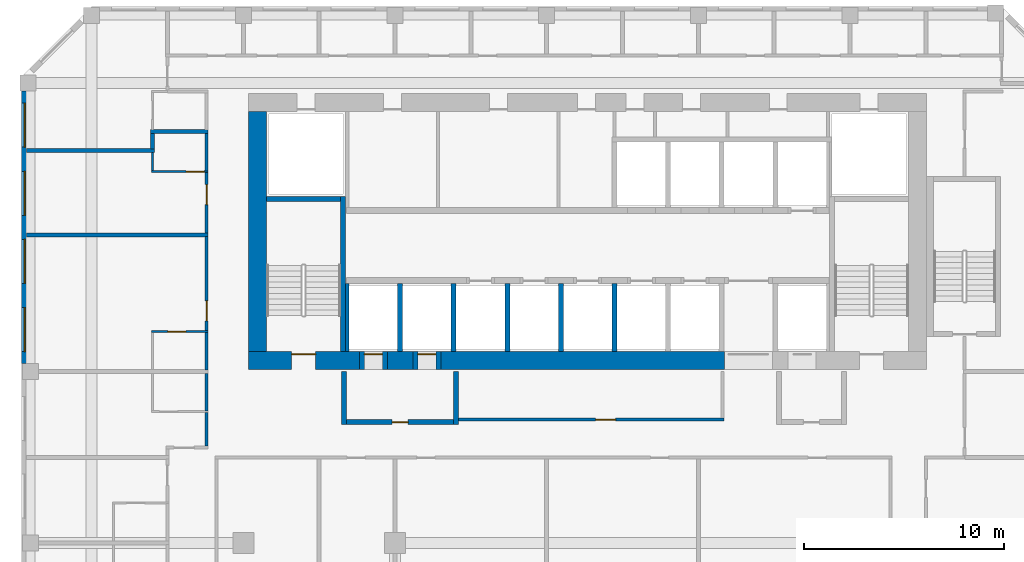
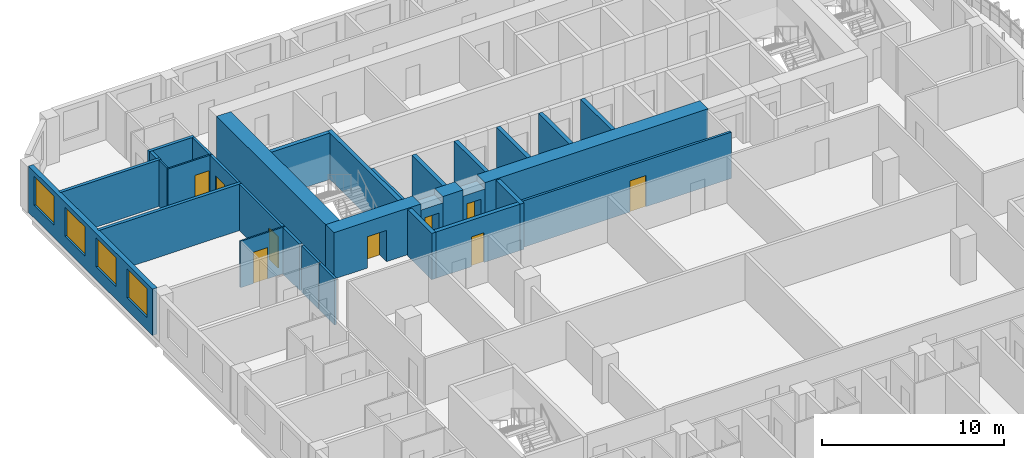
# One storey, part 7 of 22: 32 walls, 9 doors, 4 windows, 13 openings.
"""IFC4 building model written with IfcOpenShell, lengths in metres."""

from ifc_helpers import new_model, si_unit, direction, frame, frame_2d, origin, place, context, subcontext, project, spatial, rectangle, extrude, source, transform, mapped, material, layer, layer_set, type_object, element, fill, save


model = new_model("IFC4")

# Units and contexts
model_context = context("Model", 3, precision=1e-05, world=origin(), true_north=direction((0.0, 1.0)))
body_context = subcontext(model_context, "Body", "Model", "MODEL_VIEW")
ifc_project = project(units=[si_unit("LENGTHUNIT", "METRE"), si_unit("AREAUNIT", "SQUARE_METRE"), si_unit("VOLUMEUNIT", "CUBIC_METRE"), si_unit("PLANEANGLEUNIT", "RADIAN"), si_unit("MASSUNIT", "GRAM", prefix="KILO")], contexts=[model_context])

# Site, building, storey
site_placement = place(None, origin())
site = spatial("IfcSite", under=ifc_project, at=site_placement, CompositionType="ELEMENT")
building_placement = place(site_placement, origin())
building = spatial("IfcBuilding", under=site, at=building_placement, Name="Kilnfold Tower and Market Hall", CompositionType="ELEMENT")
storey_placement = place(building_placement, frame((0.0, 0.0, 171.89990234375)))
storey = spatial("IfcBuildingStorey", under=building, at=storey_placement, Name="L40", CompositionType="ELEMENT", Elevation=171.89990234375)

# Walls
ifc_material_1 = material(Name="Gypsum board on steel studs", Category="steel")
ifc_layer_1 = layer(ifc_material_1, 0.14990234375)
ifc_layer_set_1 = layer_set([ifc_layer_1], Name="Gypsum board on steel studs")
wall_type_1 = type_object("IfcWallType", Name="WALL CORRIDOR 150", PredefinedType="PARTITIONING", material=ifc_layer_set_1)
wall_1_placement = place(storey_placement, frame((-18.0, 4.27490234375, 0.0), z_axis=(0.0, 0.0, 1.0), x_axis=(0.0, 1.0, 0.0)))
element("IfcWall", 1, at=wall_1_placement, inside=storey, type_object=wall_type_1, Name="Partition LY26.20", PredefinedType="PARTITIONING", context=body_context, shape_type="SweptSolid", body=[
    extrude(rectangle(XDim=1.68505859375, YDim=0.14990234375, at=frame_2d((0.842529296875, 0.0))), origin(), (0.0, 0.0, 1.0), 3.1201171875),
])
wall_2_placement = place(storey_placement, frame((-18.0, 6.0400390625, 0.0), z_axis=(0.0, 0.0, 1.0), x_axis=(0.0, 1.0, 0.0)))
element("IfcWall", 2, at=wall_2_placement, inside=storey, type_object=wall_type_1, Name="Partition LY26.21", PredefinedType="PARTITIONING", context=body_context, shape_type="SweptSolid", body=[
    extrude(rectangle(XDim=1.869873046875, YDim=0.14990234375, at=frame_2d((0.93505859375, 0.0))), origin(), (0.0, 0.0, 1.0), 3.1201171875),
])

# Wall, opening, door
wall_3_placement = place(storey_placement, frame((-18.0, 10.0400390625, 0.0), z_axis=(0.0, 0.0, 1.0), x_axis=(0.0, 1.0, 0.0)))
wall_3 = element("IfcWall", 3, at=wall_3_placement, inside=storey, type_object=wall_type_1, Name="Partition LY26.22", PredefinedType="PARTITIONING", context=body_context, shape_type="SweptSolid", body=[
    extrude(rectangle(XDim=4.70703125, YDim=0.14990234375, at=frame_2d((2.353515625, 0.0))), origin(), (0.0, 0.0, 1.0), 3.1201171875),
])
opening_1_placement = place(wall_3_placement, frame((0.5009765625, 0.0, 0.0)))
opening_1 = element("IfcOpeningElement", 4, at=opening_1_placement, cuts=wall_3, Name="Opening D1", PredefinedType="OPENING", context=body_context, shape_type="SweptSolid", body=[
    extrude(rectangle(XDim=1.0, YDim=2.10009765625, at=frame_2d((0.5, 1.050048828125))), frame((0.0, 0.0849609375, 0.0), z_axis=(0.0, -1.0, 0.0), x_axis=(1.0, 0.0, 0.0)), (0.0, 0.0, 1.0), 0.169921875),
])
ifc_material_2 = material(Name="Timber veneer door leaf in steel frame", Category="steel")
door_type_1 = type_object("IfcDoorType", Name="DOOR ENTRY 1000 X2100", OperationType="NOTDEFINED", PredefinedType="DOOR", material=ifc_material_2)
door_1_placement = place(opening_1_placement, origin())
door_1 = element("IfcDoor", 5, at=door_1_placement, inside=storey, type_object=door_type_1, Name="Door D1", OperationType="SINGLE_SWING_LEFT", OverallHeight=2.10009765625, OverallWidth=1.0, PredefinedType="DOOR", context=body_context, shape_type="SweptSolid", body=[
    extrude(rectangle(XDim=1.0, YDim=2.10009765625, at=frame_2d((0.5, 1.050048828125))), frame((0.0, 0.02490234375, 0.0), z_axis=(0.0, -1.0, 0.0), x_axis=(1.0, 0.0, 0.0)), (0.0, 0.0, 1.0), 0.050048828125),
])
fill(opening_1, door_1)

# Wall
wall_4_placement = place(storey_placement, frame((-18.0, 8.090087890625, 0.0), z_axis=(0.0, 0.0, 1.0), x_axis=(0.0, 1.0, 0.0)))
element("IfcWall", 6, at=wall_4_placement, inside=storey, type_object=wall_type_1, Name="Partition LY26.23", PredefinedType="PARTITIONING", context=body_context, shape_type="SweptSolid", body=[
    extrude(rectangle(XDim=1.869873046875, YDim=0.14990234375, at=frame_2d((0.93505859375, 0.0))), origin(), (0.0, 0.0, 1.0), 3.1201171875),
])

# Wall, opening, door
wall_5_placement = place(storey_placement, frame((-18.0, 14.927001953125, 0.0), z_axis=(0.0, 0.0, 1.0), x_axis=(0.0, 1.0, 0.0)))
wall_5 = element("IfcWall", 7, at=wall_5_placement, inside=storey, type_object=wall_type_1, Name="Partition LY26.24", PredefinedType="PARTITIONING", context=body_context, shape_type="SweptSolid", body=[
    extrude(rectangle(XDim=3.032958984375, YDim=0.14990234375, at=frame_2d((1.5166015625, 0.0))), origin(), (0.0, 0.0, 1.0), 3.1201171875),
])
opening_2_placement = place(wall_5_placement, frame((1.425048828125, 0.0, 0.0)))
opening_2 = element("IfcOpeningElement", 8, at=opening_2_placement, cuts=wall_5, Name="Opening D1", PredefinedType="OPENING", context=body_context, shape_type="SweptSolid", body=[
    extrude(rectangle(XDim=1.0, YDim=2.10009765625, at=frame_2d((0.5, 1.050048828125))), frame((0.0, 0.0849609375, 0.0), z_axis=(0.0, -1.0, 0.0), x_axis=(1.0, 0.0, 0.0)), (0.0, 0.0, 1.0), 0.169921875),
])
door_2_placement = place(opening_2_placement, origin())
door_2 = element("IfcDoor", 9, at=door_2_placement, inside=storey, type_object=door_type_1, Name="Door D1", OperationType="SINGLE_SWING_LEFT", OverallHeight=2.10009765625, OverallWidth=1.0, PredefinedType="DOOR", context=body_context, shape_type="SweptSolid", body=[
    extrude(rectangle(XDim=1.0, YDim=2.10009765625, at=frame_2d((0.5, 1.050048828125))), frame((0.0, 0.02490234375, 0.0), z_axis=(0.0, -1.0, 0.0), x_axis=(1.0, 0.0, 0.0)), (0.0, 0.0, 1.0), 0.050048828125),
])
fill(opening_2, door_2)

# Wall
wall_6_placement = place(storey_placement, frame((-18.0, 18.0400390625, 0.0), z_axis=(0.0, 0.0, 1.0), x_axis=(0.0, 1.0, 0.0)))
element("IfcWall", 10, at=wall_6_placement, inside=storey, type_object=wall_type_1, Name="Partition LY26.25", PredefinedType="PARTITIONING", context=body_context, shape_type="SweptSolid", body=[
    extrude(rectangle(XDim=1.869873046875, YDim=0.14990234375, at=frame_2d((0.93505859375, 0.0))), origin(), (0.0, 0.0, 1.0), 3.1201171875),
])

# Wall, opening, door
wall_7_placement = place(storey_placement, frame((7.875, 5.60009765625, 0.0), z_axis=(0.0, 0.0, 1.0), x_axis=(-1.0, 0.0, 0.0)))
wall_7 = element("IfcWall", 11, at=wall_7_placement, inside=storey, type_object=wall_type_1, Name="Partition LY26.40", PredefinedType="PARTITIONING", context=body_context, shape_type="SweptSolid", body=[
    extrude(rectangle(XDim=13.27490234375, YDim=0.14990234375, at=frame_2d((6.637451171875, 0.0))), origin(), (0.0, 0.0, 1.0), 3.1201171875),
])
opening_3_placement = place(wall_7_placement, frame((5.43310546875, 0.0, 0.0)))
opening_3 = element("IfcOpeningElement", 12, at=opening_3_placement, cuts=wall_7, Name="Opening D1", PredefinedType="OPENING", context=body_context, shape_type="SweptSolid", body=[
    extrude(rectangle(XDim=1.0, YDim=2.10009765625, at=frame_2d((0.5, 1.050048828125))), frame((0.0, 0.0849609375, 0.0), z_axis=(0.0, -1.0, 0.0), x_axis=(1.0, 0.0, 0.0)), (0.0, 0.0, 1.0), 0.169921875),
])
door_3_placement = place(opening_3_placement, origin())
door_3 = element("IfcDoor", 13, at=door_3_placement, inside=storey, type_object=door_type_1, Name="Door D1", OperationType="SINGLE_SWING_LEFT", OverallHeight=2.10009765625, OverallWidth=1.0, PredefinedType="DOOR", context=body_context, shape_type="SweptSolid", body=[
    extrude(rectangle(XDim=1.0, YDim=2.10009765625, at=frame_2d((0.5, 1.050048828125))), frame((0.0, 0.02490234375, 0.0), z_axis=(0.0, -1.0, 0.0), x_axis=(1.0, 0.0, 0.0)), (0.0, 0.0, 1.0), 0.050048828125),
])
fill(opening_3, door_3)

ifc_material_3 = material(Name="Gypsum board on steel studs", Category="steel")
ifc_layer_2 = layer(ifc_material_3, 0.10009765625)
ifc_layer_set_2 = layer_set([ifc_layer_2], Name="Gypsum board on steel studs")
wall_type_2 = type_object("IfcWallType", Name="WALL PARTITION 100", PredefinedType="PARTITIONING", material=ifc_layer_set_2)
wall_8_placement = place(storey_placement, frame((-20.751953125, 10.0, 0.0), z_axis=(0.0, 0.0, 1.0), x_axis=(1.0, 0.0, 0.0)))
wall_8 = element("IfcWall", 14, at=wall_8_placement, inside=storey, type_object=wall_type_2, Name="Partition LY26.107", PredefinedType="PARTITIONING", context=body_context, shape_type="SweptSolid", body=[
    extrude(rectangle(XDim=2.824951171875, YDim=0.10009765625, at=frame_2d((1.41259765625, 0.0))), origin(), (0.0, 0.0, 1.0), 3.1201171875),
])
opening_4_placement = place(wall_8_placement, frame((0.81005859375, 0.0, 0.0)))
opening_4 = element("IfcOpeningElement", 15, at=opening_4_placement, cuts=wall_8, Name="Opening D3", PredefinedType="OPENING", context=body_context, shape_type="SweptSolid", body=[
    extrude(rectangle(XDim=0.89990234375, YDim=2.10009765625, at=frame_2d((0.449951171875, 1.050048828125))), frame((0.0, 0.06005859375, 0.0), z_axis=(0.0, -1.0, 0.0), x_axis=(1.0, 0.0, 0.0)), (0.0, 0.0, 1.0), 0.1201171875),
])
ifc_material_4 = material(Name="Timber veneer door leaf in steel frame", Category="steel")
door_type_2 = type_object("IfcDoorType", Name="DOOR WC 900 X2100", OperationType="NOTDEFINED", PredefinedType="DOOR", material=ifc_material_4)
door_4_placement = place(opening_4_placement, origin())
door_4 = element("IfcDoor", 16, at=door_4_placement, inside=storey, type_object=door_type_2, Name="Door D3", OperationType="SINGLE_SWING_LEFT", OverallHeight=2.10009765625, OverallWidth=0.89990234375, PredefinedType="DOOR", context=body_context, shape_type="SweptSolid", body=[
    extrude(rectangle(XDim=0.89990234375, YDim=2.10009765625, at=frame_2d((0.449951171875, 1.050048828125))), frame((0.0, 0.02490234375, 0.0), z_axis=(0.0, -1.0, 0.0), x_axis=(1.0, 0.0, 0.0)), (0.0, 0.0, 1.0), 0.050048828125),
])
fill(opening_4, door_4)

wall_9_placement = place(storey_placement, frame((-17.927001953125, 18.0, 0.0), z_axis=(0.0, 0.0, 1.0), x_axis=(-1.0, 0.0, 0.0)))
wall_9 = element("IfcWall", 17, at=wall_9_placement, inside=storey, type_object=wall_type_2, Name="Partition LY26.110", PredefinedType="PARTITIONING", context=body_context, shape_type="SweptSolid", body=[
    extrude(rectangle(XDim=2.824951171875, YDim=0.10009765625, at=frame_2d((1.41259765625, 0.0))), origin(), (0.0, 0.0, 1.0), 3.1201171875),
])
opening_5_placement = place(wall_9_placement, frame((0.199951171875, 0.0, 0.0)))
opening_5 = element("IfcOpeningElement", 18, at=opening_5_placement, cuts=wall_9, Name="Opening D3", PredefinedType="OPENING", context=body_context, shape_type="SweptSolid", body=[
    extrude(rectangle(XDim=0.89990234375, YDim=2.10009765625, at=frame_2d((0.449951171875, 1.050048828125))), frame((0.0, 0.06005859375, 0.0), z_axis=(0.0, -1.0, 0.0), x_axis=(1.0, 0.0, 0.0)), (0.0, 0.0, 1.0), 0.1201171875),
])
door_5_placement = place(opening_5_placement, origin())
door_5 = element("IfcDoor", 19, at=door_5_placement, inside=storey, type_object=door_type_2, Name="Door D3", OperationType="SINGLE_SWING_LEFT", OverallHeight=2.10009765625, OverallWidth=0.89990234375, PredefinedType="DOOR", context=body_context, shape_type="SweptSolid", body=[
    extrude(rectangle(XDim=0.89990234375, YDim=2.10009765625, at=frame_2d((0.449951171875, 1.050048828125))), frame((0.0, 0.02490234375, 0.0), z_axis=(0.0, -1.0, 0.0), x_axis=(1.0, 0.0, 0.0)), (0.0, 0.0, 1.0), 0.050048828125),
])
fill(opening_5, door_5)

# Walls
wall_10_placement = place(storey_placement, frame((-20.701904296875, 18.050048828125, 0.0), z_axis=(0.0, 0.0, 1.0), x_axis=(0.0, 1.0, 0.0)))
element("IfcWall", 20, at=wall_10_placement, inside=storey, type_object=wall_type_2, Name="Partition LY26.111", PredefinedType="PARTITIONING", context=body_context, shape_type="SweptSolid", body=[
    extrude(rectangle(XDim=0.90283203125, YDim=0.10009765625, at=frame_2d((0.451416015625, 0.0))), origin(), (0.0, 0.0, 1.0), 3.1201171875),
])
ifc_material_5 = material(Name="Gypsum board on steel studs", Category="steel")
ifc_layer_3 = layer(ifc_material_5, 0.199951171875)
ifc_layer_set_3 = layer_set([ifc_layer_3], Name="Gypsum board on steel studs")
wall_type_3 = type_object("IfcWallType", Name="WALL PARTY 200", PredefinedType="PARTITIONING", material=ifc_layer_set_3)
wall_11_placement = place(storey_placement, frame((-17.927001953125, 14.8369140625, 0.0), z_axis=(0.0, 0.0, 1.0), x_axis=(-1.0, 0.0, 0.0)))
element("IfcWall", 21, at=wall_11_placement, inside=storey, type_object=wall_type_3, Name="Partition LY26.109", PredefinedType="PARTITIONING", context=body_context, shape_type="SweptSolid", body=[
    extrude(rectangle(XDim=9.072998046875, YDim=0.199951171875, at=frame_2d((4.53662109375, 0.0))), origin(), (0.0, 0.0, 1.0), 3.1201171875),
])
wall_12_placement = place(storey_placement, frame((-20.60205078125, 19.052978515625, 0.0), z_axis=(0.0, 0.0, 1.0), x_axis=(-1.0, 0.0, 0.0)))
element("IfcWall", 22, at=wall_12_placement, inside=storey, type_object=wall_type_3, Name="Partition LY26.112", PredefinedType="PARTITIONING", context=body_context, shape_type="SweptSolid", body=[
    extrude(rectangle(XDim=6.39794921875, YDim=0.199951171875, at=frame_2d((3.198974609375, 0.0))), origin(), (0.0, 0.0, 1.0), 3.1201171875),
])
wall_13_placement = place(storey_placement, frame((-20.701904296875, 19.89990234375, 0.0), z_axis=(0.0, 0.0, 1.0), x_axis=(0.0, -1.0, 0.0)))
element("IfcWall", 23, at=wall_13_placement, inside=storey, type_object=wall_type_3, Name="Partition LY26.113", PredefinedType="PARTITIONING", context=body_context, shape_type="SweptSolid", body=[
    extrude(rectangle(XDim=0.7568359375, YDim=0.199951171875, at=frame_2d((0.37841796875, 0.0))), origin(), (0.0, 0.0, 1.0), 3.1201171875),
])
wall_14_placement = place(storey_placement, frame((-17.927001953125, 20.0, 0.0), z_axis=(0.0, 0.0, 1.0), x_axis=(-1.0, 0.0, 0.0)))
element("IfcWall", 24, at=wall_14_placement, inside=storey, type_object=wall_type_3, Name="Partition LY26.114", PredefinedType="PARTITIONING", context=body_context, shape_type="SweptSolid", body=[
    extrude(rectangle(XDim=2.875, YDim=0.199951171875, at=frame_2d((1.4375, 0.0))), origin(), (0.0, 0.0, 1.0), 3.1201171875),
])

# Wall, opening, door
ifc_material_6 = material(Name="Concrete C70", Category="concrete")
ifc_layer_4 = layer(ifc_material_6, 0.89990234375)
ifc_layer_set_4 = layer_set([ifc_layer_4], Name="Concrete C70")
wall_type_4 = type_object("IfcWallType", Name="CORE WALL 900 C70", PredefinedType="SHEAR", material=ifc_layer_set_4)
shared_shape_1 = source(origin(), body_context, "Body", "SweptSolid", [
    extrude(rectangle(XDim=5.52978515625, YDim=0.89990234375, at=frame_2d((2.764892578125, 0.0))), origin(), (0.0, 0.0, 1.0), 3.1201171875),
])
wall_15_placement = place(storey_placement, frame((-15.89990234375, 8.550048828125, 0.0), z_axis=(0.0, 0.0, 1.0), x_axis=(1.0, 0.0, 0.0)))
wall_15 = element("IfcWall", 25, at=wall_15_placement, inside=storey, type_object=wall_type_4, Name="Core outer wall south", PredefinedType="SHEAR", context=body_context, shape_type="MappedRepresentation", body=[
    mapped(shared_shape_1, transform((0.0, 0.0, 0.0))),
])
opening_6_placement = place(wall_15_placement, frame((2.14990234375, 0.0, 0.0)))
opening_6 = element("IfcOpeningElement", 26, at=opening_6_placement, cuts=wall_15, Name="Opening SD1", PredefinedType="OPENING", context=body_context, shape_type="SweptSolid", body=[
    extrude(rectangle(XDim=1.199951171875, YDim=2.10009765625, at=frame_2d((0.60009765625, 1.050048828125))), frame((0.0, 0.4599609375, 0.0), z_axis=(0.0, -1.0, 0.0), x_axis=(1.0, 0.0, 0.0)), (0.0, 0.0, 1.0), 0.919921875),
])
ifc_material_7 = material(Name="Steel door set with fire-resisting leaf", Category="steel")
door_type_3 = type_object("IfcDoorType", Name="STAIR FLOOR DOOR 1200X2100", OperationType="NOTDEFINED", PredefinedType="DOOR", material=ifc_material_7)
door_6_placement = place(opening_6_placement, origin())
door_6 = element("IfcDoor", 27, at=door_6_placement, inside=storey, type_object=door_type_3, Name="Exit stair ST1 door", OperationType="DOUBLE_DOOR_SINGLE_SWING", OverallHeight=2.10009765625, OverallWidth=1.199951171875, PredefinedType="DOOR", context=body_context, shape_type="SweptSolid", body=[
    extrude(rectangle(XDim=1.199951171875, YDim=2.10009765625, at=frame_2d((0.60009765625, 1.050048828125))), frame((0.0, 0.35498046875, 0.0), z_axis=(0.0, -1.0, 0.0), x_axis=(1.0, 0.0, 0.0)), (0.0, 0.0, 1.0), 0.050048828125),
])
fill(opening_6, door_6)

# Walls
shared_shape_2 = source(origin(), body_context, "Body", "SweptSolid", [
    extrude(rectangle(XDim=1.280029296875, YDim=0.89990234375, at=frame_2d((0.64013671875, 0.0))), origin(), (0.0, 0.0, 1.0), 3.1201171875),
])
wall_16_placement = place(storey_placement, frame((-8.969970703125, 8.550048828125, 0.0), z_axis=(0.0, 0.0, 1.0), x_axis=(1.0, 0.0, 0.0)))
element("IfcWall", 28, at=wall_16_placement, inside=storey, type_object=wall_type_4, Name="Core outer wall south", PredefinedType="SHEAR", context=body_context, shape_type="MappedRepresentation", body=[
    mapped(shared_shape_2, transform((0.0, 0.0, 0.0))),
])
shared_shape_3 = source(origin(), body_context, "Body", "SweptSolid", [
    extrude(rectangle(XDim=14.179931640625, YDim=0.89990234375, at=frame_2d((7.08984375, 0.0))), origin(), (0.0, 0.0, 1.0), 3.1201171875),
])
wall_17_placement = place(storey_placement, frame((-6.2900390625, 8.550048828125, 0.0), z_axis=(0.0, 0.0, 1.0), x_axis=(1.0, 0.0, 0.0)))
element("IfcWall", 29, at=wall_17_placement, inside=storey, type_object=wall_type_4, Name="Core outer wall south", PredefinedType="SHEAR", context=body_context, shape_type="MappedRepresentation", body=[
    mapped(shared_shape_3, transform((0.0, 0.0, 0.0))),
])
shared_shape_4 = source(origin(), body_context, "Body", "SweptSolid", [
    extrude(rectangle(XDim=12.0, YDim=0.89990234375, at=frame_2d((6.0, 0.0))), origin(), (0.0, 0.0, 1.0), 3.1201171875),
])
wall_18_placement = place(storey_placement, frame((-15.449951171875, 9.0, 0.0), z_axis=(0.0, 0.0, 1.0), x_axis=(0.0, 1.0, 0.0)))
element("IfcWall", 30, at=wall_18_placement, inside=storey, type_object=wall_type_4, Name="Core outer wall west", PredefinedType="SHEAR", context=body_context, shape_type="MappedRepresentation", body=[
    mapped(shared_shape_4, transform((0.0, 0.0, 0.0))),
])
ifc_material_8 = material(Name="Concrete C70", Category="concrete")
ifc_layer_5 = layer(ifc_material_8, 0.25)
ifc_layer_set_5 = layer_set([ifc_layer_5], Name="Concrete C70")
wall_type_5 = type_object("IfcWallType", Name="CORE WALL 250 C70", PredefinedType="SHEAR", material=ifc_layer_set_5)
shared_shape_5 = source(origin(), body_context, "Body", "SweptSolid", [
    extrude(rectangle(XDim=7.75, YDim=0.25, at=frame_2d((3.875, 0.0))), origin(), (0.0, 0.0, 1.0), 3.1201171875),
])
wall_19_placement = place(storey_placement, frame((-11.175048828125, 9.0, 0.0), z_axis=(0.0, 0.0, 1.0), x_axis=(0.0, 1.0, 0.0)))
element("IfcWall", 31, at=wall_19_placement, inside=storey, type_object=wall_type_5, Name="Stair enclosure ST1", PredefinedType="SHEAR", context=body_context, shape_type="MappedRepresentation", body=[
    mapped(shared_shape_5, transform((0.0, 0.0, 0.0))),
])
shared_shape_6 = source(origin(), body_context, "Body", "SweptSolid", [
    extrude(rectangle(XDim=3.699951171875, YDim=0.25, at=frame_2d((1.85009765625, 0.0))), origin(), (0.0, 0.0, 1.0), 3.1201171875),
])
wall_20_placement = place(storey_placement, frame((-15.0, 16.625, 0.0), z_axis=(0.0, 0.0, 1.0), x_axis=(1.0, 0.0, 0.0)))
element("IfcWall", 32, at=wall_20_placement, inside=storey, type_object=wall_type_5, Name="Stair enclosure ST1", PredefinedType="SHEAR", context=body_context, shape_type="MappedRepresentation", body=[
    mapped(shared_shape_6, transform((0.0, 0.0, 0.0))),
])

# Wall, openings, windows
ifc_material_9 = material(Name="Precast concrete C50/60", Category="concrete")
ifc_layer_6 = layer(ifc_material_9, 0.300048828125)
ifc_layer_set_6 = layer_set([ifc_layer_6], Name="Precast concrete C50/60")
wall_type_6 = type_object("IfcWallType", Name="PRECAST WALL 300", PredefinedType="SOLIDWALL", material=ifc_layer_set_6)
shared_shape_7 = source(origin(), body_context, "Body", "SweptSolid", [
    extrude(rectangle(XDim=13.6318359375, YDim=0.300048828125, at=frame_2d((6.81591796875, 0.0))), origin(), (0.0, 0.0, 1.0), 3.1201171875),
])
wall_21_placement = place(storey_placement, frame((-27.10009765625, 22.03173828125, 0.0), z_axis=(0.0, 0.0, 1.0), x_axis=(0.0, -1.0, 0.0)))
wall_21 = element("IfcWall", 33, at=wall_21_placement, inside=storey, type_object=wall_type_6, Name="External wall L40 W", PredefinedType="SOLIDWALL", context=body_context, shape_type="MappedRepresentation", body=[
    mapped(shared_shape_7, transform((0.0, 0.0, 0.0))),
])
opening_7_placement = place(wall_21_placement, frame((0.60400390625, 0.0, 0.85009765625)))
opening_7 = element("IfcOpeningElement", 34, at=opening_7_placement, cuts=wall_21, Name="Opening W2", PredefinedType="OPENING", context=body_context, shape_type="SweptSolid", body=[
    extrude(rectangle(XDim=2.199951171875, YDim=1.949951171875, at=frame_2d((1.10009765625, 0.97509765625))), frame((0.0, 0.16015625, 0.0), z_axis=(0.0, -1.0, 0.0), x_axis=(1.0, 0.0, 0.0)), (0.0, 0.0, 1.0), 0.320068359375),
])
opening_8_placement = place(wall_21_placement, frame((4.011962890625, 0.0, 0.85009765625)))
opening_8 = element("IfcOpeningElement", 35, at=opening_8_placement, cuts=wall_21, Name="Opening W2", PredefinedType="OPENING", context=body_context, shape_type="SweptSolid", body=[
    extrude(rectangle(XDim=2.199951171875, YDim=1.949951171875, at=frame_2d((1.10009765625, 0.97509765625))), frame((0.0, 0.16015625, 0.0), z_axis=(0.0, -1.0, 0.0), x_axis=(1.0, 0.0, 0.0)), (0.0, 0.0, 1.0), 0.320068359375),
])
opening_9_placement = place(wall_21_placement, frame((7.419921875, 0.0, 0.85009765625)))
opening_9 = element("IfcOpeningElement", 36, at=opening_9_placement, cuts=wall_21, Name="Opening W2", PredefinedType="OPENING", context=body_context, shape_type="SweptSolid", body=[
    extrude(rectangle(XDim=2.199951171875, YDim=1.949951171875, at=frame_2d((1.10009765625, 0.97509765625))), frame((0.0, 0.16015625, 0.0), z_axis=(0.0, -1.0, 0.0), x_axis=(1.0, 0.0, 0.0)), (0.0, 0.0, 1.0), 0.320068359375),
])
opening_10_placement = place(wall_21_placement, frame((10.827880859375, 0.0, 0.85009765625)))
opening_10 = element("IfcOpeningElement", 37, at=opening_10_placement, cuts=wall_21, Name="Opening W2", PredefinedType="OPENING", context=body_context, shape_type="SweptSolid", body=[
    extrude(rectangle(XDim=2.199951171875, YDim=1.949951171875, at=frame_2d((1.10009765625, 0.97509765625))), frame((0.0, 0.16015625, 0.0), z_axis=(0.0, -1.0, 0.0), x_axis=(1.0, 0.0, 0.0)), (0.0, 0.0, 1.0), 0.320068359375),
])
ifc_material_10 = material(Name="Aluminium frame and double glazing", Category="aluminium")
window_type = type_object("IfcWindowType", Name="WINDOW W2 2200X1950", PartitioningType="SINGLE_PANEL", PredefinedType="WINDOW", material=ifc_material_10)
window_1_placement = place(opening_7_placement, origin())
window_1 = element("IfcWindow", 38, at=window_1_placement, inside=storey, type_object=window_type, Name="Window W2 L40 W-1", OverallHeight=1.949951171875, OverallWidth=2.199951171875, PartitioningType="SINGLE_PANEL", PredefinedType="WINDOW", context=body_context, shape_type="SweptSolid", body=[
    extrude(rectangle(XDim=2.199951171875, YDim=1.949951171875, at=frame_2d((1.10009765625, 0.97509765625))), frame((0.0, 0.030029296875, 0.0), z_axis=(0.0, -1.0, 0.0), x_axis=(1.0, 0.0, 0.0)), (0.0, 0.0, 1.0), 0.06005859375),
])
fill(opening_7, window_1)
window_2_placement = place(opening_8_placement, origin())
window_2 = element("IfcWindow", 39, at=window_2_placement, inside=storey, type_object=window_type, Name="Window W2 L40 W-2", OverallHeight=1.949951171875, OverallWidth=2.199951171875, PartitioningType="SINGLE_PANEL", PredefinedType="WINDOW", context=body_context, shape_type="SweptSolid", body=[
    extrude(rectangle(XDim=2.199951171875, YDim=1.949951171875, at=frame_2d((1.10009765625, 0.97509765625))), frame((0.0, 0.030029296875, 0.0), z_axis=(0.0, -1.0, 0.0), x_axis=(1.0, 0.0, 0.0)), (0.0, 0.0, 1.0), 0.06005859375),
])
fill(opening_8, window_2)
window_3_placement = place(opening_9_placement, origin())
window_3 = element("IfcWindow", 40, at=window_3_placement, inside=storey, type_object=window_type, Name="Window W2 L40 W-3", OverallHeight=1.949951171875, OverallWidth=2.199951171875, PartitioningType="SINGLE_PANEL", PredefinedType="WINDOW", context=body_context, shape_type="SweptSolid", body=[
    extrude(rectangle(XDim=2.199951171875, YDim=1.949951171875, at=frame_2d((1.10009765625, 0.97509765625))), frame((0.0, 0.030029296875, 0.0), z_axis=(0.0, -1.0, 0.0), x_axis=(1.0, 0.0, 0.0)), (0.0, 0.0, 1.0), 0.06005859375),
])
fill(opening_9, window_3)
window_4_placement = place(opening_10_placement, origin())
window_4 = element("IfcWindow", 41, at=window_4_placement, inside=storey, type_object=window_type, Name="Window W2 L40 W-4", OverallHeight=1.949951171875, OverallWidth=2.199951171875, PartitioningType="SINGLE_PANEL", PredefinedType="WINDOW", context=body_context, shape_type="SweptSolid", body=[
    extrude(rectangle(XDim=2.199951171875, YDim=1.949951171875, at=frame_2d((1.10009765625, 0.97509765625))), frame((0.0, 0.030029296875, 0.0), z_axis=(0.0, -1.0, 0.0), x_axis=(1.0, 0.0, 0.0)), (0.0, 0.0, 1.0), 0.06005859375),
])
fill(opening_10, window_4)

# Walls
ifc_material_11 = material(Name="Gypsum shaft wall system")
ifc_layer_7 = layer(ifc_material_11, 0.25)
ifc_layer_set_7 = layer_set([ifc_layer_7], Name="Gypsum shaft wall system")
wall_type_7 = type_object("IfcWallType", Name="LOBBY WALL 250", PredefinedType="PARTITIONING", material=ifc_layer_set_7)
shared_shape_8 = source(origin(), body_context, "Body", "SweptSolid", [
    extrude(rectangle(XDim=2.64990234375, YDim=0.25, at=frame_2d((1.324951171875, 0.0))), origin(), (0.0, 0.0, 1.0), 3.1201171875),
])
for number, where, z_axis, x_axis, name in (
    (42, (-11.135009765625, 5.35009765625, 0.0), (0.0, 0.0, 1.0), (0.0, 1.0, 0.0), "Firefighting lobby wall"),
    (43, (-5.52490234375, 5.35009765625, 0.0), (0.0, 0.0, 1.0), (0.0, 1.0, 0.0), "Firefighting lobby wall"),
):
    element("IfcWall", number, at=place(storey_placement, frame(where, z_axis=z_axis, x_axis=x_axis)), inside=storey, type_object=wall_type_7, Name=name, PredefinedType="PARTITIONING", context=body_context, shape_type="MappedRepresentation", body=[
        mapped(shared_shape_8, transform((0.0, 0.0, 0.0))),
    ])

# Wall, opening, door
shared_shape_9 = source(origin(), body_context, "Body", "SweptSolid", [
    extrude(rectangle(XDim=5.360107421875, YDim=0.25, at=frame_2d((2.68017578125, 0.0))), origin(), (0.0, 0.0, 1.0), 3.1201171875),
])
wall_22_placement = place(storey_placement, frame((-11.010009765625, 5.47509765625, 0.0), z_axis=(0.0, 0.0, 1.0), x_axis=(1.0, 0.0, 0.0)))
wall_22 = element("IfcWall", 44, at=wall_22_placement, inside=storey, type_object=wall_type_7, Name="Firefighting lobby wall", PredefinedType="PARTITIONING", context=body_context, shape_type="MappedRepresentation", body=[
    mapped(shared_shape_9, transform((0.0, 0.0, 0.0))),
])
opening_11_placement = place(wall_22_placement, frame((2.280029296875, 0.0, 0.0)))
opening_11 = element("IfcOpeningElement", 45, at=opening_11_placement, cuts=wall_22, Name="Opening VD1", PredefinedType="OPENING", context=body_context, shape_type="SweptSolid", body=[
    extrude(rectangle(XDim=0.800048828125, YDim=2.0, at=frame_2d((0.39990234375, 1.0))), frame((0.0, 0.135009765625, 0.0), z_axis=(0.0, -1.0, 0.0), x_axis=(1.0, 0.0, 0.0)), (0.0, 0.0, 1.0), 0.27001953125),
])
ifc_material_12 = material(Name="Steel door set with fire-resisting leaf", Category="steel")
door_type_4 = type_object("IfcDoorType", Name="FIREFIGHTING LOBBY DOOR 800X2000", OperationType="NOTDEFINED", PredefinedType="DOOR", material=ifc_material_12)
door_7_placement = place(opening_11_placement, origin())
door_7 = element("IfcDoor", 46, at=door_7_placement, inside=storey, type_object=door_type_4, Name="Firefighting lobby door", OperationType="SINGLE_SWING_LEFT", OverallHeight=2.0, OverallWidth=0.800048828125, PredefinedType="DOOR", context=body_context, shape_type="SweptSolid", body=[
    extrude(rectangle(XDim=0.800048828125, YDim=2.0, at=frame_2d((0.39990234375, 1.0))), frame((0.0, 0.02490234375, 0.0), z_axis=(0.0, -1.0, 0.0), x_axis=(1.0, 0.0, 0.0)), (0.0, 0.0, 1.0), 0.050048828125),
])
fill(opening_11, door_7)

# Walls
ifc_material_13 = material(Name="Gypsum shaft wall system")
ifc_layer_8 = layer(ifc_material_13, 0.25)
ifc_layer_set_8 = layer_set([ifc_layer_8], Name="Gypsum shaft wall system")
wall_type_8 = type_object("IfcWallType", Name="SHAFT WALL 250", PredefinedType="PARTITIONING", material=ifc_layer_set_8)
shared_shape_10 = source(origin(), body_context, "Body", "SweptSolid", [
    extrude(rectangle(XDim=3.39990234375, YDim=0.25, at=frame_2d((1.699951171875, 0.0))), origin(), (0.0, 0.0, 1.0), 3.1201171875),
])
for number, where, z_axis, x_axis, name in (
    (47, (2.389892578125, 9.0, 0.0), (0.0, 0.0, 1.0), (0.0, 1.0, 0.0), "Lift shaft wall"),
    (48, (-0.2900390625, 9.0, 0.0), (0.0, 0.0, 1.0), (0.0, 1.0, 0.0), "Lift shaft wall"),
    (49, (-2.969970703125, 9.0, 0.0), (0.0, 0.0, 1.0), (0.0, 1.0, 0.0), "Lift shaft wall"),
    (50, (-5.64990234375, 9.0, 0.0), (0.0, 0.0, 1.0), (0.0, 1.0, 0.0), "Lift shaft wall"),
    (51, (-8.330078125, 9.0, 0.0), (0.0, 0.0, 1.0), (0.0, 1.0, 0.0), "Lift shaft wall"),
):
    element("IfcWall", number, at=place(storey_placement, frame(where, z_axis=z_axis, x_axis=x_axis)), inside=storey, type_object=wall_type_8, Name=name, PredefinedType="PARTITIONING", context=body_context, shape_type="MappedRepresentation", body=[
        mapped(shared_shape_10, transform((0.0, 0.0, 0.0))),
    ])
ifc_material_14 = material(Name="Gypsum shaft wall system")
ifc_layer_9 = layer(ifc_material_14, 0.1650390625)
ifc_layer_set_9 = layer_set([ifc_layer_9], Name="Gypsum shaft wall system")
wall_type_9 = type_object("IfcWallType", Name="SHAFT WALL 165", PredefinedType="PARTITIONING", material=ifc_layer_set_9)
shared_shape_11 = source(origin(), body_context, "Body", "SweptSolid", [
    extrude(rectangle(XDim=3.39990234375, YDim=0.1650390625, at=frame_2d((1.699951171875, 0.0))), origin(), (0.0, 0.0, 1.0), 3.1201171875),
])
wall_23_placement = place(storey_placement, frame((-10.967529296875, 9.0, 0.0), z_axis=(0.0, 0.0, 1.0), x_axis=(0.0, 1.0, 0.0)))
element("IfcWall", 52, at=wall_23_placement, inside=storey, type_object=wall_type_9, Name="Lift shaft wall", PredefinedType="PARTITIONING", context=body_context, shape_type="MappedRepresentation", body=[
    mapped(shared_shape_11, transform((0.0, 0.0, 0.0))),
])

# Wall, opening, door
ifc_material_15 = material(Name="Gypsum shaft wall system")
ifc_layer_10 = layer(ifc_material_15, 0.89990234375)
ifc_layer_set_10 = layer_set([ifc_layer_10], Name="Gypsum shaft wall system")
wall_type_10 = type_object("IfcWallType", Name="LOBBY WALL 900", PredefinedType="PARTITIONING", material=ifc_layer_set_10)
shared_shape_12 = source(origin(), body_context, "Body", "SweptSolid", [
    extrude(rectangle(XDim=1.400146484375, YDim=0.89990234375, at=frame_2d((0.7001953125, 0.0))), origin(), (0.0, 0.0, 1.0), 2.7001953125),
])
wall_24_placement = place(storey_placement, frame((-10.3701171875, 8.550048828125, 0.0), z_axis=(0.0, 0.0, 1.0), x_axis=(1.0, 0.0, 0.0)))
wall_24 = element("IfcWall", 53, at=wall_24_placement, inside=storey, type_object=wall_type_10, Name="Core wall infill", PredefinedType="PARTITIONING", context=body_context, shape_type="MappedRepresentation", body=[
    mapped(shared_shape_12, transform((0.0, 0.0, 0.0))),
])
opening_12_placement = place(wall_24_placement, frame((0.25, 0.0, 0.0)))
opening_12 = element("IfcOpeningElement", 54, at=opening_12_placement, cuts=wall_24, Name="Opening LD1", PredefinedType="OPENING", context=body_context, shape_type="SweptSolid", body=[
    extrude(rectangle(XDim=0.89990234375, YDim=2.10009765625, at=frame_2d((0.449951171875, 1.050048828125))), frame((0.0, 0.4599609375, 0.0), z_axis=(0.0, -1.0, 0.0), x_axis=(1.0, 0.0, 0.0)), (0.0, 0.0, 1.0), 0.919921875),
])
ifc_material_16 = material(Name="Steel door set with fire-resisting leaf", Category="steel")
door_type_5 = type_object("IfcDoorType", Name="FIREFIGHTING LANDING DOOR 900X2100", OperationType="NOTDEFINED", PredefinedType="DOOR", material=ifc_material_16)
door_8_placement = place(opening_12_placement, origin())
door_8 = element("IfcDoor", 55, at=door_8_placement, inside=storey, type_object=door_type_5, Name="Landing door FF1", OperationType="SLIDING_TO_LEFT", OverallHeight=2.10009765625, OverallWidth=0.89990234375, PredefinedType="DOOR", context=body_context, shape_type="SweptSolid", body=[
    extrude(rectangle(XDim=0.89990234375, YDim=2.10009765625, at=frame_2d((0.449951171875, 1.050048828125))), frame((0.0, 0.35498046875, 0.0), z_axis=(0.0, -1.0, 0.0), x_axis=(1.0, 0.0, 0.0)), (0.0, 0.0, 1.0), 0.050048828125),
])
fill(opening_12, door_8)

shared_shape_13 = source(origin(), body_context, "Body", "SweptSolid", [
    extrude(rectangle(XDim=1.39990234375, YDim=0.89990234375, at=frame_2d((0.699951171875, 0.0))), origin(), (0.0, 0.0, 1.0), 2.7001953125),
])
wall_25_placement = place(storey_placement, frame((-7.68994140625, 8.550048828125, 0.0), z_axis=(0.0, 0.0, 1.0), x_axis=(1.0, 0.0, 0.0)))
wall_25 = element("IfcWall", 56, at=wall_25_placement, inside=storey, type_object=wall_type_10, Name="Core wall infill", PredefinedType="PARTITIONING", context=body_context, shape_type="MappedRepresentation", body=[
    mapped(shared_shape_13, transform((0.0, 0.0, 0.0))),
])
opening_13_placement = place(wall_25_placement, frame((0.25, 0.0, 0.0)))
opening_13 = element("IfcOpeningElement", 57, at=opening_13_placement, cuts=wall_25, Name="Opening LD1", PredefinedType="OPENING", context=body_context, shape_type="SweptSolid", body=[
    extrude(rectangle(XDim=0.89990234375, YDim=2.10009765625, at=frame_2d((0.449951171875, 1.050048828125))), frame((0.0, 0.4599609375, 0.0), z_axis=(0.0, -1.0, 0.0), x_axis=(1.0, 0.0, 0.0)), (0.0, 0.0, 1.0), 0.919921875),
])
door_9_placement = place(opening_13_placement, origin())
door_9 = element("IfcDoor", 58, at=door_9_placement, inside=storey, type_object=door_type_5, Name="Landing door FF2", OperationType="SLIDING_TO_RIGHT", OverallHeight=2.10009765625, OverallWidth=0.89990234375, PredefinedType="DOOR", context=body_context, shape_type="SweptSolid", body=[
    extrude(rectangle(XDim=0.89990234375, YDim=2.10009765625, at=frame_2d((0.449951171875, 1.050048828125))), frame((0.0, 0.35498046875, 0.0), z_axis=(0.0, -1.0, 0.0), x_axis=(1.0, 0.0, 0.0)), (0.0, 0.0, 1.0), 0.050048828125),
])
fill(opening_13, door_9)

save(model, "model.ifc")
